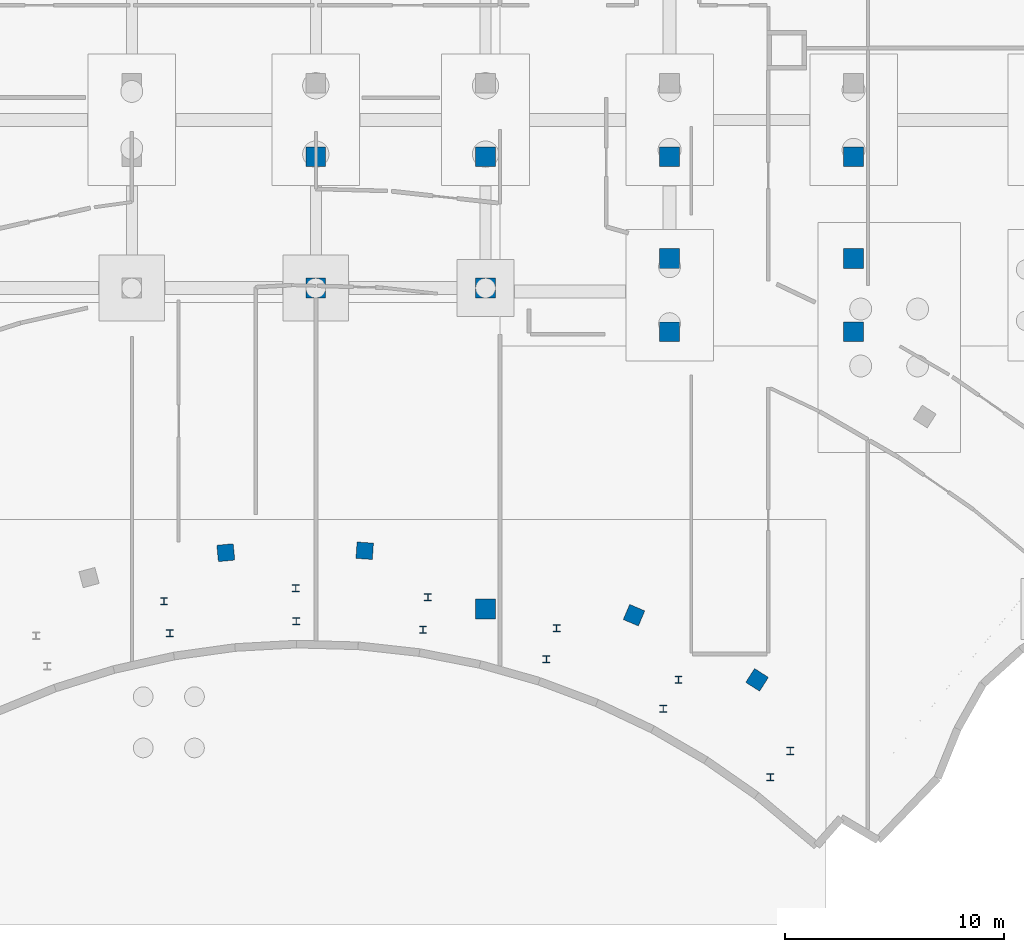
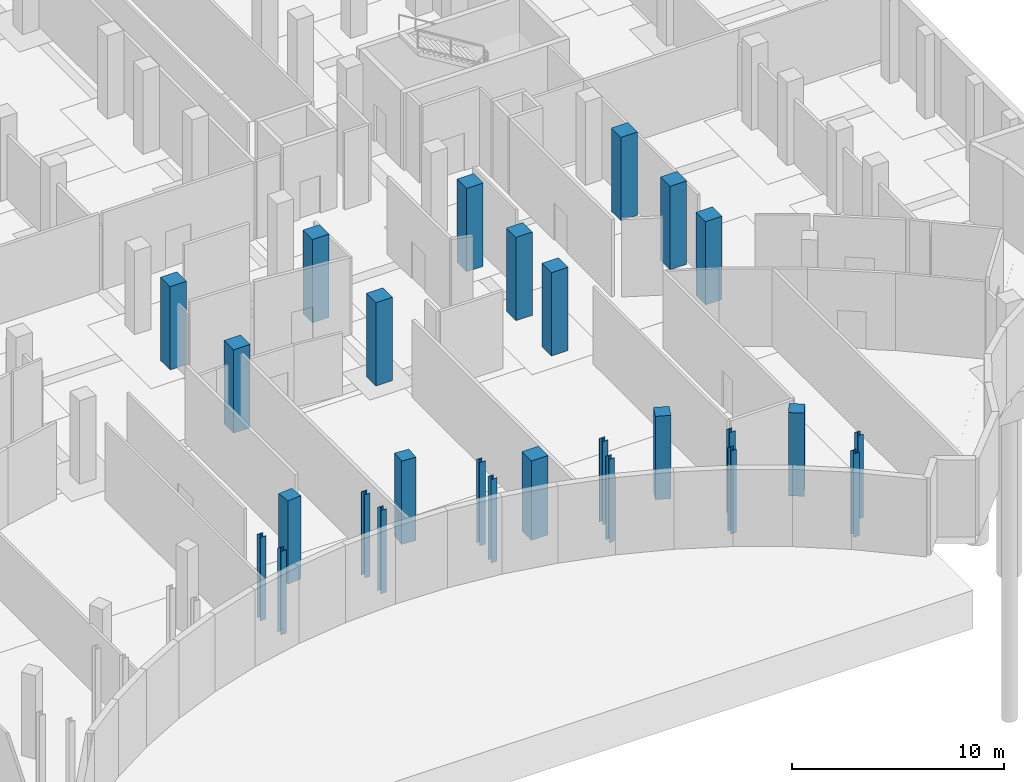
# One storey, part 22 of 45: 27 columns.
"""IFC4 building model written with IfcOpenShell, lengths in metres."""

from ifc_helpers import new_model, si_unit, direction, frame, origin, origin_2d, place, context, subcontext, project, spatial, rectangle, i_section, extrude, material, material_profile, profile_set, type_object, element, save


model = new_model("IFC4")

# Units and contexts
model_context = context("Model", 3, precision=1e-05, world=origin(), true_north=direction((0.0, 1.0)))
body_context = subcontext(model_context, "Body", "Model", "MODEL_VIEW")
ifc_project = project(units=[si_unit("LENGTHUNIT", "METRE"), si_unit("AREAUNIT", "SQUARE_METRE"), si_unit("VOLUMEUNIT", "CUBIC_METRE"), si_unit("PLANEANGLEUNIT", "RADIAN"), si_unit("MASSUNIT", "GRAM", prefix="KILO")], contexts=[model_context])

# Site, building, storey
site_placement = place(None, origin())
site = spatial("IfcSite", under=ifc_project, at=site_placement, CompositionType="ELEMENT")
building_placement = place(site_placement, origin())
building = spatial("IfcBuilding", under=site, at=building_placement, Name="Selatvlak General Hospital", CompositionType="ELEMENT")
storey_placement = place(building_placement, frame((0.0, 0.0, -4.800048828125)))
storey = spatial("IfcBuildingStorey", under=building, at=storey_placement, Name="B1", CompositionType="ELEMENT", Elevation=-4.800048828125)

# Columns
ifc_material_1 = material(Name="Concrete C50/60", Category="concrete")
ifc_material_profile_1 = material_profile(ifc_material_1, rectangle(XDim=0.75, YDim=0.75, at=origin_2d()), Name="RC-COL 750x750")
ifc_profile_set_1 = profile_set([ifc_material_profile_1], Name="Concrete C50/60")
column_type_1 = type_object("IfcColumnType", Name="COL-RC75", PredefinedType="COLUMN", material=ifc_profile_set_1)
for number, where, z_axis, x_axis, name in (
    (1, (136.2919921875, 54.570068359375, 0.0), (0.0, 0.0, 1.0), (-0.097061786558, 0.995278357843, 0.0), "Column 346 on B1"),
    (2, (142.633056640625, 54.658935546875, 0.0), (0.0, 0.0, 1.0), (0.068938143839, 0.99762093619, 0.0), "Column 347 on B1"),
    (3, (154.927978515625, 51.716064453125, 0.0), (0.0, 0.0, 1.0), (0.390393719602, 0.920648002059, 0.0), "Column 348 on B1"),
    (4, (160.544921875, 48.763916015625, 0.0), (0.0, 0.0, 1.0), (0.537064068078, 0.843541455282, 0.0), "Column 350 on B1"),
):
    element("IfcColumn", number, at=place(storey_placement, frame(where, z_axis=z_axis, x_axis=x_axis)), inside=storey, type_object=column_type_1, Name=name, PredefinedType="COLUMN", context=body_context, shape_type="SweptSolid", body=[
        extrude(rectangle(XDim=0.75, YDim=0.75, at=origin_2d()), origin(), (0.0, 0.0, 1.0), 4.800048828125),
    ])
ifc_material_profile_2 = material_profile(ifc_material_1, rectangle(XDim=0.89990234375, YDim=0.89990234375, at=origin_2d()), Name="RC-COL 900x900")
ifc_profile_set_2 = profile_set([ifc_material_profile_2], Name="Concrete C50/60")
column_type_2 = type_object("IfcColumnType", Name="COL-RC90", PredefinedType="COLUMN", material=ifc_profile_set_2)
for number, where, z_axis, x_axis, name in (
    (5, (140.39990234375, 66.64990234375, 0.0), (0.0, 0.0, 1.0), (1.0, 0.0, 0.0), "Column 255 on B1"),
    (6, (140.39990234375, 72.64990234375, 0.0), (0.0, 0.0, 1.0), (1.0, 0.0, 0.0), "Column 256 on B1"),
):
    element("IfcColumn", number, at=place(storey_placement, frame(where, z_axis=z_axis, x_axis=x_axis)), inside=storey, type_object=column_type_2, Name=name, PredefinedType="COLUMN", context=body_context, shape_type="SweptSolid", body=[
        extrude(rectangle(XDim=0.89990234375, YDim=0.89990234375, at=origin_2d()), origin(), (0.0, 0.0, 1.0), 4.800048828125),
    ])
column_placement = place(storey_placement, frame((148.14990234375, 52.0, 0.0), z_axis=(0.0, 0.0, 1.0), x_axis=(1.0, 0.0, 0.0)))
element("IfcColumn", 7, at=column_placement, inside=storey, type_object=column_type_2, Name="Column 265 on B1", PredefinedType="COLUMN", context=body_context, shape_type="SweptSolid", body=[
    extrude(rectangle(XDim=0.89990234375, YDim=0.89990234375, at=origin_2d()), origin(), (0.0, 0.0, 1.0), 4.56494140625),
])
for number, where, z_axis, x_axis, name in (
    (8, (148.14990234375, 66.64990234375, 0.0), (0.0, 0.0, 1.0), (1.0, 0.0, 0.0), "Column 266 on B1"),
    (9, (148.14990234375, 72.64990234375, 0.0), (0.0, 0.0, 1.0), (1.0, 0.0, 0.0), "Column 267 on B1"),
    (10, (156.550048828125, 64.64990234375, 0.0), (0.0, 0.0, 1.0), (1.0, 0.0, 0.0), "Column 274 on B1"),
    (11, (156.550048828125, 68.0, 0.0), (0.0, 0.0, 1.0), (1.0, 0.0, 0.0), "Column 275 on B1"),
    (12, (156.550048828125, 72.64990234375, 0.0), (0.0, 0.0, 1.0), (1.0, 0.0, 0.0), "Column 276 on B1"),
    (13, (164.949951171875, 64.64990234375, 0.0), (0.0, 0.0, 1.0), (1.0, 0.0, 0.0), "Column 284 on B1"),
    (14, (164.949951171875, 68.0, 0.0), (0.0, 0.0, 1.0), (1.0, 0.0, 0.0), "Column 285 on B1"),
    (15, (164.949951171875, 72.64990234375, 0.0), (0.0, 0.0, 1.0), (1.0, 0.0, 0.0), "Column 286 on B1"),
):
    element("IfcColumn", number, at=place(storey_placement, frame(where, z_axis=z_axis, x_axis=x_axis)), inside=storey, type_object=column_type_2, Name=name, PredefinedType="COLUMN", context=body_context, shape_type="SweptSolid", body=[
        extrude(rectangle(XDim=0.89990234375, YDim=0.89990234375, at=origin_2d()), origin(), (0.0, 0.0, 1.0), 4.800048828125),
    ])
ifc_material_2 = material(Name="Steel S355", Category="steel")
ifc_material_profile_3 = material_profile(ifc_material_2, i_section(OverallWidth=0.30908203125, OverallDepth=0.320556640625, WebThickness=0.013916015625, FlangeThickness=0.021728515625, at=origin_2d()), Name="UC 305x305x137")
ifc_profile_set_3 = profile_set([ifc_material_profile_3], Name="Steel S355")
column_type_3 = type_object("IfcColumnType", Name="COL-UC305", PredefinedType="COLUMN", material=ifc_profile_set_3)
for number, where, z_axis, x_axis, name in (
    (16, (133.468994140625, 52.360107421875, 0.0), (0.0, 0.0, 1.0), (1.0, 0.0, 0.0), "Column 137 on B1"),
    (17, (133.738037109375, 50.884033203125, 0.0), (0.0, 0.0, 1.0), (1.0, 0.0, 0.0), "Column 138 on B1"),
    (18, (139.48388671875, 52.946044921875, 0.0), (0.0, 0.0, 1.0), (1.0, 0.0, 0.0), "Column 139 on B1"),
    (19, (139.5048828125, 51.446044921875, 0.0), (0.0, 0.0, 1.0), (1.0, 0.0, 0.0), "Column 140 on B1"),
    (20, (145.51708984375, 52.530029296875, 0.0), (0.0, 0.0, 1.0), (1.0, 0.0, 0.0), "Column 141 on B1"),
    (21, (145.2900390625, 51.047119140625, 0.0), (0.0, 0.0, 1.0), (1.0, 0.0, 0.0), "Column 142 on B1"),
    (22, (151.39501953125, 51.1240234375, 0.0), (0.0, 0.0, 1.0), (1.0, 0.0, 0.0), "Column 143 on B1"),
    (23, (150.926025390625, 49.698974609375, 0.0), (0.0, 0.0, 1.0), (1.0, 0.0, 0.0), "Column 144 on B1"),
    (24, (156.9599609375, 48.763916015625, 0.0), (0.0, 0.0, 1.0), (1.0, 0.0, 0.0), "Column 145 on B1"),
    (25, (156.261962890625, 47.43603515625, 0.0), (0.0, 0.0, 1.0), (1.0, 0.0, 0.0), "Column 146 on B1"),
    (26, (162.06005859375, 45.51708984375, 0.0), (0.0, 0.0, 1.0), (1.0, 0.0, 0.0), "Column 147 on B1"),
    (27, (161.152099609375, 44.322998046875, 0.0), (0.0, 0.0, 1.0), (1.0, 0.0, 0.0), "Column 148 on B1"),
):
    element("IfcColumn", number, at=place(storey_placement, frame(where, z_axis=z_axis, x_axis=x_axis)), inside=storey, type_object=column_type_3, Name=name, PredefinedType="COLUMN", context=body_context, shape_type="SweptSolid", body=[
        extrude(i_section(OverallWidth=0.30908203125, OverallDepth=0.320556640625, WebThickness=0.013916015625, FlangeThickness=0.021728515625, at=origin_2d()), origin(), (0.0, 0.0, 1.0), 4.800048828125),
    ])

save(model, "model.ifc")
